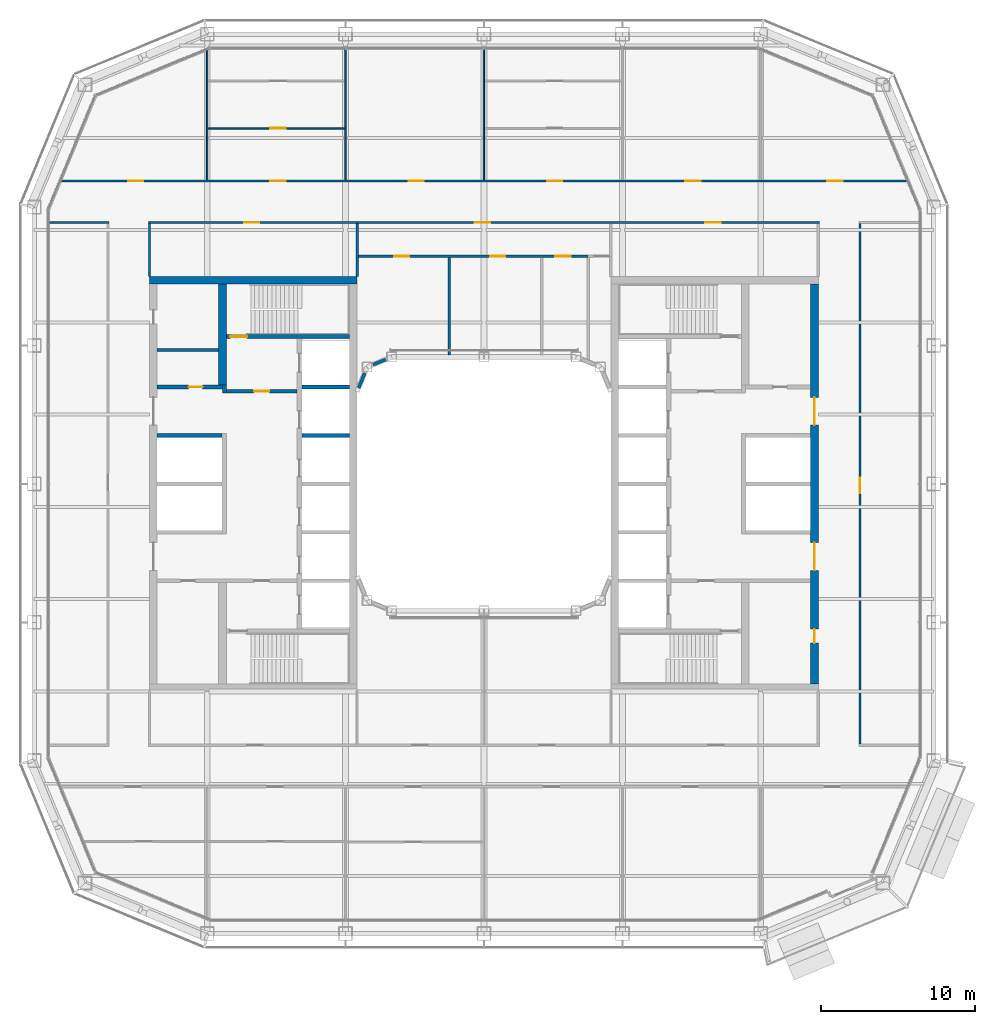
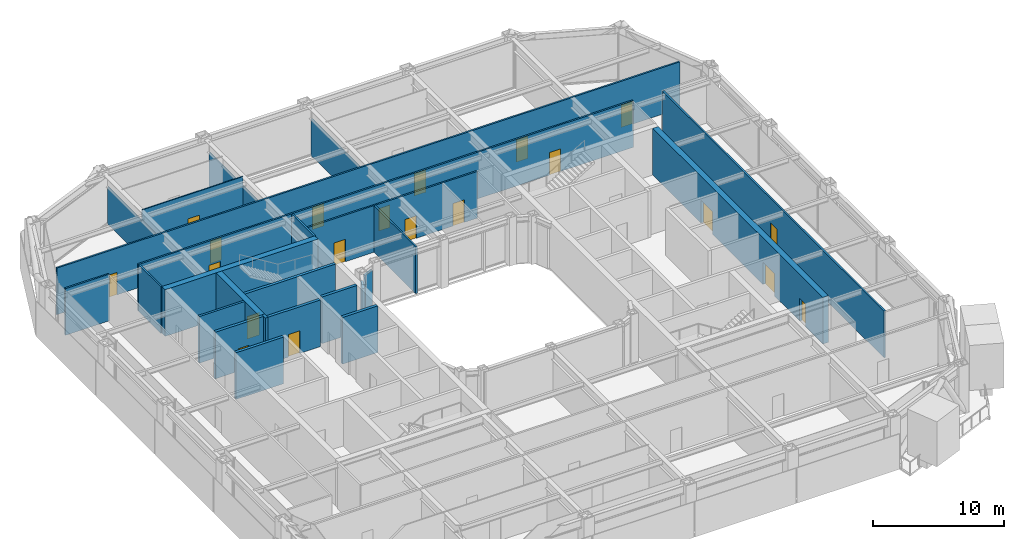
# One storey, part 13 of 23: 25 walls, 20 doors, 20 openings.
"""IFC4 building model written with IfcOpenShell, lengths in metres."""

from ifc_helpers import new_model, si_unit, direction, frame, frame_2d, origin, place, context, subcontext, project, spatial, rectangle, extrude, material, layer, layer_set, type_object, element, fill, save


model = new_model("IFC4")

# Units and contexts
model_context = context("Model", 3, precision=1e-05, world=origin(), true_north=direction((0.0, 1.0)))
body_context = subcontext(model_context, "Body", "Model", "MODEL_VIEW")
ifc_project = project(units=[si_unit("LENGTHUNIT", "METRE"), si_unit("AREAUNIT", "SQUARE_METRE"), si_unit("VOLUMEUNIT", "CUBIC_METRE"), si_unit("PLANEANGLEUNIT", "RADIAN"), si_unit("MASSUNIT", "GRAM", prefix="KILO")], contexts=[model_context])

# Site, building, storey
site_placement = place(None, origin())
site = spatial("IfcSite", under=ifc_project, at=site_placement, CompositionType="ELEMENT")
building_placement = place(site_placement, origin())
building = spatial("IfcBuilding", under=site, at=building_placement, Name="Siwar Civic Tower", CompositionType="ELEMENT")
storey_placement = place(building_placement, frame((0.0, 0.0, 145.199951171875)))
storey = spatial("IfcBuildingStorey", under=building, at=storey_placement, Name="L31", CompositionType="ELEMENT", Elevation=145.199951171875)

# Wall
ifc_material_1 = material(Name="Gypsum board on steel studs", Category="steel")
ifc_layer_1 = layer(ifc_material_1, 0.199951171875)
ifc_layer_set_1 = layer_set([ifc_layer_1], Name="Gypsum board on steel studs")
wall_type_1 = type_object("IfcWallType", Name="CORE-PARTITION-200", PredefinedType="PARTITIONING", material=ifc_layer_set_1)
wall_1_placement = place(storey_placement, frame((-17.25, 8.699951171875, 0.0), z_axis=(0.0, 0.0, 1.0), x_axis=(-1.0, 0.0, 0.0)))
element("IfcWall", 1, at=wall_1_placement, inside=storey, type_object=wall_type_1, Name="Core partition W", PredefinedType="PARTITIONING", context=body_context, shape_type="SweptSolid", body=[
    extrude(rectangle(XDim=4.0, YDim=0.199951171875, at=frame_2d((2.0, 0.0))), origin(), (0.0, 0.0, 1.0), 4.35009765625),
])

# Wall, opening, door
ifc_material_2 = material(Name="Concrete C60/75", Category="concrete")
ifc_layer_2 = layer(ifc_material_2, 0.25)
ifc_layer_set_2 = layer_set([ifc_layer_2], Name="Concrete C60/75")
wall_type_2 = type_object("IfcWallType", Name="CORE-WALL-RC250", PredefinedType="SHEAR", material=ifc_layer_set_2)
wall_2_placement = place(storey_placement, frame((-12.14990234375, 6.02490234375, 0.0), z_axis=(0.0, 0.0, 1.0), x_axis=(-1.0, 0.0, 0.0)))
wall_2 = element("IfcWall", 2, at=wall_2_placement, inside=storey, type_object=wall_type_2, Name="Core wall W", PredefinedType="SHEAR", context=body_context, shape_type="SweptSolid", body=[
    extrude(rectangle(XDim=4.60009765625, YDim=0.25, at=frame_2d((2.300048828125, 0.0))), origin(), (0.0, 0.0, 1.0), 4.35009765625),
])
opening_1_placement = place(wall_2_placement, frame((1.800048828125, 0.0, 0.0)))
opening_1 = element("IfcOpeningElement", 3, at=opening_1_placement, cuts=wall_2, Name="Opening L31-CW01", PredefinedType="OPENING", context=body_context, shape_type="SweptSolid", body=[
    extrude(rectangle(XDim=1.0, YDim=2.10009765625, at=frame_2d((0.5, 1.050048828125))), frame((0.0, 0.135009765625, 0.0), z_axis=(0.0, -1.0, 0.0), x_axis=(1.0, 0.0, 0.0)), (0.0, 0.0, 1.0), 0.27001953125),
])
ifc_material_3 = material(Name="Steel door leaf", Category="steel")
door_type_1 = type_object("IfcDoorType", Name="CORE-DOOR-FD30S", OperationType="SINGLE_SWING_LEFT", PredefinedType="DOOR", material=ifc_material_3)
door_1_placement = place(opening_1_placement, origin())
door_1 = element("IfcDoor", 4, at=door_1_placement, inside=storey, type_object=door_type_1, Name="Firefighting lobby door L31-CW01", OperationType="SINGLE_SWING_LEFT", OverallHeight=2.10009765625, OverallWidth=1.0, PredefinedType="DOOR", context=body_context, shape_type="SweptSolid", body=[
    extrude(rectangle(XDim=1.0, YDim=2.10009765625, at=frame_2d((0.5, 1.050048828125))), frame((0.0, 0.02490234375, 0.0), z_axis=(0.0, -1.0, 0.0), x_axis=(1.0, 0.0, 0.0)), (0.0, 0.0, 1.0), 0.050048828125),
])
fill(opening_1, door_1)

# Wall
wall_3_placement = place(storey_placement, frame((-16.875, 5.89990234375, 0.0), z_axis=(0.0, 0.0, 1.0), x_axis=(0.0, 1.0, 0.0)))
element("IfcWall", 5, at=wall_3_placement, inside=storey, type_object=wall_type_2, Name="Core wall W", PredefinedType="SHEAR", context=body_context, shape_type="SweptSolid", body=[
    extrude(rectangle(XDim=0.525146484375, YDim=0.25, at=frame_2d((0.2626953125, 0.0))), origin(), (0.0, 0.0, 1.0), 4.35009765625),
])

# Wall, opening, door
wall_4_placement = place(storey_placement, frame((-17.0, 6.300048828125, 0.0), z_axis=(0.0, 0.0, 1.0), x_axis=(-1.0, 0.0, 0.0)))
wall_4 = element("IfcWall", 6, at=wall_4_placement, inside=storey, type_object=wall_type_2, Name="Core wall W", PredefinedType="SHEAR", context=body_context, shape_type="SweptSolid", body=[
    extrude(rectangle(XDim=4.25, YDim=0.25, at=frame_2d((2.125, 0.0))), origin(), (0.0, 0.0, 1.0), 4.35009765625),
])
opening_2_placement = place(wall_4_placement, frame((1.300048828125, 0.0, 0.0)))
opening_2 = element("IfcOpeningElement", 7, at=opening_2_placement, cuts=wall_4, Name="Opening L31-CW13", PredefinedType="OPENING", context=body_context, shape_type="SweptSolid", body=[
    extrude(rectangle(XDim=0.89990234375, YDim=2.10009765625, at=frame_2d((0.449951171875, 1.050048828125))), frame((0.0, 0.135009765625, 0.0), z_axis=(0.0, -1.0, 0.0), x_axis=(1.0, 0.0, 0.0)), (0.0, 0.0, 1.0), 0.27001953125),
])
ifc_material_4 = material(Name="Steel door leaf", Category="steel")
door_type_2 = type_object("IfcDoorType", Name="CORE-DOOR-ROOM", OperationType="SINGLE_SWING_LEFT", PredefinedType="DOOR", material=ifc_material_4)
door_2_placement = place(opening_2_placement, origin())
door_2 = element("IfcDoor", 8, at=door_2_placement, inside=storey, type_object=door_type_2, Name="Core room door L31-CW13", OperationType="SINGLE_SWING_LEFT", OverallHeight=2.10009765625, OverallWidth=0.89990234375, PredefinedType="DOOR", context=body_context, shape_type="SweptSolid", body=[
    extrude(rectangle(XDim=0.89990234375, YDim=2.10009765625, at=frame_2d((0.449951171875, 1.050048828125))), frame((0.0, 0.02490234375, 0.0), z_axis=(0.0, -1.0, 0.0), x_axis=(1.0, 0.0, 0.0)), (0.0, 0.0, 1.0), 0.050048828125),
])
fill(opening_2, door_2)

# Walls
wall_5_placement = place(storey_placement, frame((-17.050048828125, 3.14990234375, 0.0), z_axis=(0.0, 0.0, 1.0), x_axis=(-1.0, 0.0, 0.0)))
element("IfcWall", 9, at=wall_5_placement, inside=storey, type_object=wall_type_2, Name="Core wall W", PredefinedType="SHEAR", context=body_context, shape_type="SweptSolid", body=[
    extrude(rectangle(XDim=4.199951171875, YDim=0.25, at=frame_2d((2.10009765625, 0.0))), origin(), (0.0, 0.0, 1.0), 4.35009765625),
])
for number, where, z_axis, x_axis, name in (
    (10, (-8.75, 3.14990234375, 0.0), (0.0, 0.0, 1.0), (-1.0, 0.0, 0.0), "Core wall W"),
    (11, (-8.75, 6.300048828125, 0.0), (0.0, 0.0, 1.0), (-1.0, 0.0, 0.0), "Core wall W"),
):
    element("IfcWall", number, at=place(storey_placement, frame(where, z_axis=z_axis, x_axis=x_axis)), inside=storey, type_object=wall_type_2, Name=name, PredefinedType="SHEAR", context=body_context, shape_type="SweptSolid", body=[
        extrude(rectangle(XDim=3.10009765625, YDim=0.25, at=frame_2d((1.550048828125, 0.0))), origin(), (0.0, 0.0, 1.0), 4.35009765625),
    ])

# Wall, opening, door
wall_6_placement = place(storey_placement, frame((-8.75, 9.574951171875, 0.0), z_axis=(0.0, 0.0, 1.0), x_axis=(-1.0, 0.0, 0.0)))
wall_6 = element("IfcWall", 12, at=wall_6_placement, inside=storey, type_object=wall_type_2, Name="Core wall W", PredefinedType="SHEAR", context=body_context, shape_type="SweptSolid", body=[
    extrude(rectangle(XDim=8.0, YDim=0.25, at=frame_2d((4.0, 0.0))), origin(), (0.0, 0.0, 1.0), 4.35009765625),
])
opening_3_placement = place(wall_6_placement, frame((6.64990234375, 0.0, 0.0)))
opening_3 = element("IfcOpeningElement", 13, at=opening_3_placement, cuts=wall_6, Name="Opening L31-CW03", PredefinedType="OPENING", context=body_context, shape_type="SweptSolid", body=[
    extrude(rectangle(XDim=1.10009765625, YDim=2.10009765625, at=frame_2d((0.550048828125, 1.050048828125))), frame((0.0, 0.135009765625, 0.0), z_axis=(0.0, -1.0, 0.0), x_axis=(1.0, 0.0, 0.0)), (0.0, 0.0, 1.0), 0.27001953125),
])
ifc_material_5 = material(Name="Steel door leaf", Category="steel")
door_type_3 = type_object("IfcDoorType", Name="CORE-DOOR-FD60S", OperationType="SINGLE_SWING_LEFT", PredefinedType="DOOR", material=ifc_material_5)
door_3_placement = place(opening_3_placement, origin())
door_3 = element("IfcDoor", 14, at=door_3_placement, inside=storey, type_object=door_type_3, Name="Stair door L31-CW03", OperationType="SINGLE_SWING_RIGHT", OverallHeight=2.10009765625, OverallWidth=1.10009765625, PredefinedType="DOOR", context=body_context, shape_type="SweptSolid", body=[
    extrude(rectangle(XDim=1.10009765625, YDim=2.10009765625, at=frame_2d((0.550048828125, 1.050048828125))), frame((0.0, 0.02490234375, 0.0), z_axis=(0.0, -1.0, 0.0), x_axis=(1.0, 0.0, 0.0)), (0.0, 0.0, 1.0), 0.050048828125),
])
fill(opening_3, door_3)

# Walls
ifc_material_6 = material(Name="Concrete C60/75", Category="concrete")
ifc_layer_3 = layer(ifc_material_6, 0.5)
ifc_layer_set_3 = layer_set([ifc_layer_3], Name="Concrete C60/75")
wall_type_3 = type_object("IfcWallType", Name="CORE-WALL-RC500", PredefinedType="SHEAR", material=ifc_layer_set_3)
wall_7_placement = place(storey_placement, frame((-17.0, 6.425048828125, 0.0), z_axis=(0.0, 0.0, 1.0), x_axis=(0.0, 1.0, 0.0)))
element("IfcWall", 15, at=wall_7_placement, inside=storey, type_object=wall_type_3, Name="Core wall W", PredefinedType="SHEAR", context=body_context, shape_type="SweptSolid", body=[
    extrude(rectangle(XDim=6.574951171875, YDim=0.5, at=frame_2d((3.28759765625, 0.0))), origin(), (0.0, 0.0, 1.0), 4.35009765625),
])
wall_8_placement = place(storey_placement, frame((-8.25, 13.25, 0.0), z_axis=(0.0, 0.0, 1.0), x_axis=(-1.0, 0.0, 0.0)))
element("IfcWall", 16, at=wall_8_placement, inside=storey, type_object=wall_type_3, Name="Core wall W", PredefinedType="SHEAR", context=body_context, shape_type="SweptSolid", body=[
    extrude(rectangle(XDim=13.5, YDim=0.5, at=frame_2d((6.75, 0.0))), origin(), (0.0, 0.0, 1.0), 4.35009765625),
])

# Wall, openings, doors
wall_9_placement = place(storey_placement, frame((21.5, -13.0, 0.0), z_axis=(0.0, 0.0, 1.0), x_axis=(0.0, 1.0, 0.0)))
wall_9 = element("IfcWall", 17, at=wall_9_placement, inside=storey, type_object=wall_type_3, Name="Core wall E", PredefinedType="SHEAR", context=body_context, shape_type="SweptSolid", body=[
    extrude(rectangle(XDim=26.0, YDim=0.5, at=frame_2d((13.0, 0.0))), origin(), (0.0, 0.0, 1.0), 4.35009765625),
])
opening_4_placement = place(wall_9_placement, frame((16.824951171875, 0.0, 0.0)))
opening_4 = element("IfcOpeningElement", 18, at=opening_4_placement, cuts=wall_9, Name="Opening L31-CE05", PredefinedType="OPENING", context=body_context, shape_type="SweptSolid", body=[
    extrude(rectangle(XDim=1.800048828125, YDim=2.10009765625, at=frame_2d((0.89990234375, 1.050048828125))), frame((0.0, 0.260009765625, 0.0), z_axis=(0.0, -1.0, 0.0), x_axis=(1.0, 0.0, 0.0)), (0.0, 0.0, 1.0), 0.52001953125),
])
opening_5_placement = place(wall_9_placement, frame((7.375, 0.0, 0.0)))
opening_5 = element("IfcOpeningElement", 19, at=opening_5_placement, cuts=wall_9, Name="Opening L31-CE06", PredefinedType="OPENING", context=body_context, shape_type="SweptSolid", body=[
    extrude(rectangle(XDim=1.800048828125, YDim=2.10009765625, at=frame_2d((0.89990234375, 1.050048828125))), frame((0.0, 0.260009765625, 0.0), z_axis=(0.0, -1.0, 0.0), x_axis=(1.0, 0.0, 0.0)), (0.0, 0.0, 1.0), 0.52001953125),
])
opening_6_placement = place(wall_9_placement, frame((2.64990234375, 0.0, 0.0)))
opening_6 = element("IfcOpeningElement", 20, at=opening_6_placement, cuts=wall_9, Name="Opening L31-CE14", PredefinedType="OPENING", context=body_context, shape_type="SweptSolid", body=[
    extrude(rectangle(XDim=0.89990234375, YDim=2.10009765625, at=frame_2d((0.449951171875, 1.050048828125))), frame((0.0, 0.260009765625, 0.0), z_axis=(0.0, -1.0, 0.0), x_axis=(1.0, 0.0, 0.0)), (0.0, 0.0, 1.0), 0.52001953125),
])
ifc_material_7 = material(Name="Steel door leaf", Category="steel")
door_type_4 = type_object("IfcDoorType", Name="CORE-DOOR-PORT", OperationType="DOUBLE_DOOR_DOUBLE_SWING", PredefinedType="DOOR", material=ifc_material_7)
door_4_placement = place(opening_4_placement, origin())
door_4 = element("IfcDoor", 21, at=door_4_placement, inside=storey, type_object=door_type_4, Name="Core entrance door L31-CE05", OperationType="DOUBLE_DOOR_DOUBLE_SWING", OverallHeight=2.10009765625, OverallWidth=1.800048828125, PredefinedType="DOOR", context=body_context, shape_type="SweptSolid", body=[
    extrude(rectangle(XDim=1.800048828125, YDim=2.10009765625, at=frame_2d((0.89990234375, 1.050048828125))), frame((0.0, 0.02490234375, 0.0), z_axis=(0.0, -1.0, 0.0), x_axis=(1.0, 0.0, 0.0)), (0.0, 0.0, 1.0), 0.050048828125),
])
fill(opening_4, door_4)
door_5_placement = place(opening_5_placement, origin())
door_5 = element("IfcDoor", 22, at=door_5_placement, inside=storey, type_object=door_type_4, Name="Core entrance door L31-CE06", OperationType="DOUBLE_DOOR_DOUBLE_SWING", OverallHeight=2.10009765625, OverallWidth=1.800048828125, PredefinedType="DOOR", context=body_context, shape_type="SweptSolid", body=[
    extrude(rectangle(XDim=1.800048828125, YDim=2.10009765625, at=frame_2d((0.89990234375, 1.050048828125))), frame((0.0, 0.02490234375, 0.0), z_axis=(0.0, -1.0, 0.0), x_axis=(1.0, 0.0, 0.0)), (0.0, 0.0, 1.0), 0.050048828125),
])
fill(opening_5, door_5)
door_6_placement = place(opening_6_placement, origin())
door_6 = element("IfcDoor", 23, at=door_6_placement, inside=storey, type_object=door_type_2, Name="Core room door L31-CE14", OperationType="SINGLE_SWING_RIGHT", OverallHeight=2.10009765625, OverallWidth=0.89990234375, PredefinedType="DOOR", context=body_context, shape_type="SweptSolid", body=[
    extrude(rectangle(XDim=0.89990234375, YDim=2.10009765625, at=frame_2d((0.449951171875, 1.050048828125))), frame((0.0, 0.02490234375, 0.0), z_axis=(0.0, -1.0, 0.0), x_axis=(1.0, 0.0, 0.0)), (0.0, 0.0, 1.0), 0.050048828125),
])
fill(opening_6, door_6)

ifc_material_8 = material(Name="Gypsum board on steel studs", Category="steel")
ifc_layer_4 = layer(ifc_material_8, 0.14990234375)
ifc_layer_set_4 = layer_set([ifc_layer_4], Name="Gypsum board on steel studs")
wall_type_4 = type_object("IfcWallType", Name="CORRIDOR PARTITION 150 EI 30", PredefinedType="PARTITIONING", material=ifc_layer_set_4)
wall_10_placement = place(storey_placement, frame((-8.175048828125, 14.800048828125, 0.0), z_axis=(0.0, 0.0, 1.0), x_axis=(1.0, 0.0, 0.0)))
wall_10 = element("IfcWall", 24, at=wall_10_placement, inside=storey, type_object=wall_type_4, Name="L31/wall/P07", PredefinedType="PARTITIONING", context=body_context, shape_type="SweptSolid", body=[
    extrude(rectangle(XDim=14.955078125, YDim=0.14990234375, at=frame_2d((7.4775390625, 0.0))), origin(), (0.0, 0.0, 1.0), 4.35009765625),
])
opening_7_placement = place(wall_10_placement, frame((2.324951171875, 0.0, 0.0)))
opening_7 = element("IfcOpeningElement", 25, at=opening_7_placement, cuts=wall_10, Name="Opening D3", PredefinedType="OPENING", context=body_context, shape_type="SweptSolid", body=[
    extrude(rectangle(XDim=1.0, YDim=2.10009765625, at=frame_2d((0.5, 1.050048828125))), frame((0.0, 0.0849609375, 0.0), z_axis=(0.0, -1.0, 0.0), x_axis=(1.0, 0.0, 0.0)), (0.0, 0.0, 1.0), 0.169921875),
])
opening_8_placement = place(wall_10_placement, frame((8.574951171875, 0.0, 0.0)))
opening_8 = element("IfcOpeningElement", 26, at=opening_8_placement, cuts=wall_10, Name="Opening D3", PredefinedType="OPENING", context=body_context, shape_type="SweptSolid", body=[
    extrude(rectangle(XDim=1.0, YDim=2.10009765625, at=frame_2d((0.5, 1.050048828125))), frame((0.0, 0.0849609375, 0.0), z_axis=(0.0, -1.0, 0.0), x_axis=(1.0, 0.0, 0.0)), (0.0, 0.0, 1.0), 0.169921875),
])
opening_9_placement = place(wall_10_placement, frame((12.824951171875, 0.0, 0.0)))
opening_9 = element("IfcOpeningElement", 27, at=opening_9_placement, cuts=wall_10, Name="Opening D3", PredefinedType="OPENING", context=body_context, shape_type="SweptSolid", body=[
    extrude(rectangle(XDim=1.0, YDim=2.10009765625, at=frame_2d((0.5, 1.050048828125))), frame((0.0, 0.0849609375, 0.0), z_axis=(0.0, -1.0, 0.0), x_axis=(1.0, 0.0, 0.0)), (0.0, 0.0, 1.0), 0.169921875),
])
ifc_material_9 = material(Name="Timber, painted", Category="wood")
door_type_5 = type_object("IfcDoorType", Name="DOOR 1000 X 2100 WC", OperationType="SINGLE_SWING_LEFT", PredefinedType="DOOR", material=ifc_material_9)
door_7_placement = place(opening_7_placement, origin())
door_7 = element("IfcDoor", 28, at=door_7_placement, inside=storey, type_object=door_type_5, Name="L31-D21", OperationType="SINGLE_SWING_LEFT", OverallHeight=2.10009765625, OverallWidth=1.0, PredefinedType="DOOR", context=body_context, shape_type="SweptSolid", body=[
    extrude(rectangle(XDim=1.0, YDim=2.10009765625, at=frame_2d((0.5, 1.050048828125))), frame((0.0, 0.02490234375, 0.0), z_axis=(0.0, -1.0, 0.0), x_axis=(1.0, 0.0, 0.0)), (0.0, 0.0, 1.0), 0.050048828125),
])
fill(opening_7, door_7)
door_8_placement = place(opening_8_placement, origin())
door_8 = element("IfcDoor", 29, at=door_8_placement, inside=storey, type_object=door_type_5, Name="L31-D22", OperationType="SINGLE_SWING_RIGHT", OverallHeight=2.10009765625, OverallWidth=1.0, PredefinedType="DOOR", context=body_context, shape_type="SweptSolid", body=[
    extrude(rectangle(XDim=1.0, YDim=2.10009765625, at=frame_2d((0.5, 1.050048828125))), frame((0.0, 0.02490234375, 0.0), z_axis=(0.0, -1.0, 0.0), x_axis=(1.0, 0.0, 0.0)), (0.0, 0.0, 1.0), 0.050048828125),
])
fill(opening_8, door_8)
door_9_placement = place(opening_9_placement, origin())
door_9 = element("IfcDoor", 30, at=door_9_placement, inside=storey, type_object=door_type_5, Name="L31-D23", OperationType="SINGLE_SWING_LEFT", OverallHeight=2.10009765625, OverallWidth=1.0, PredefinedType="DOOR", context=body_context, shape_type="SweptSolid", body=[
    extrude(rectangle(XDim=1.0, YDim=2.10009765625, at=frame_2d((0.5, 1.050048828125))), frame((0.0, 0.02490234375, 0.0), z_axis=(0.0, -1.0, 0.0), x_axis=(1.0, 0.0, 0.0)), (0.0, 0.0, 1.0), 0.050048828125),
])
fill(opening_9, door_9)

# Wall
wall_11_placement = place(storey_placement, frame((-28.260009765625, 17.0, 0.0), z_axis=(0.0, 0.0, 1.0), x_axis=(1.0, 0.0, 0.0)))
element("IfcWall", 31, at=wall_11_placement, inside=storey, type_object=wall_type_4, Name="L31/wall/P09", PredefinedType="PARTITIONING", context=body_context, shape_type="SweptSolid", body=[
    extrude(rectangle(XDim=3.885009765625, YDim=0.14990234375, at=frame_2d((1.9423828125, 0.0))), origin(), (0.0, 0.0, 1.0), 4.35009765625),
])

# Wall, openings, doors
wall_12_placement = place(storey_placement, frame((-21.824951171875, 17.0, 0.0), z_axis=(0.0, 0.0, 1.0), x_axis=(1.0, 0.0, 0.0)))
wall_12 = element("IfcWall", 32, at=wall_12_placement, inside=storey, type_object=wall_type_4, Name="L31/wall/P10", PredefinedType="PARTITIONING", context=body_context, shape_type="SweptSolid", body=[
    extrude(rectangle(XDim=43.64990234375, YDim=0.14990234375, at=frame_2d((21.824951171875, 0.0))), origin(), (0.0, 0.0, 1.0), 4.35009765625),
])
opening_10_placement = place(wall_12_placement, frame((21.22509765625, 0.0, 0.0)))
opening_10 = element("IfcOpeningElement", 33, at=opening_10_placement, cuts=wall_12, Name="Opening D1", PredefinedType="OPENING", context=body_context, shape_type="SweptSolid", body=[
    extrude(rectangle(XDim=1.0, YDim=2.10009765625, at=frame_2d((0.5, 1.050048828125))), frame((0.0, 0.0849609375, 0.0), z_axis=(0.0, -1.0, 0.0), x_axis=(1.0, 0.0, 0.0)), (0.0, 0.0, 1.0), 0.169921875),
])
opening_11_placement = place(wall_12_placement, frame((6.22509765625, 0.0, 0.0)))
opening_11 = element("IfcOpeningElement", 34, at=opening_11_placement, cuts=wall_12, Name="Opening D1", PredefinedType="OPENING", context=body_context, shape_type="SweptSolid", body=[
    extrude(rectangle(XDim=1.0, YDim=2.10009765625, at=frame_2d((0.5, 1.050048828125))), frame((0.0, 0.0849609375, 0.0), z_axis=(0.0, -1.0, 0.0), x_axis=(1.0, 0.0, 0.0)), (0.0, 0.0, 1.0), 0.169921875),
])
opening_12_placement = place(wall_12_placement, frame((36.22509765625, 0.0, 0.0)))
opening_12 = element("IfcOpeningElement", 35, at=opening_12_placement, cuts=wall_12, Name="Opening D1", PredefinedType="OPENING", context=body_context, shape_type="SweptSolid", body=[
    extrude(rectangle(XDim=1.0, YDim=2.10009765625, at=frame_2d((0.5, 1.050048828125))), frame((0.0, 0.0849609375, 0.0), z_axis=(0.0, -1.0, 0.0), x_axis=(1.0, 0.0, 0.0)), (0.0, 0.0, 1.0), 0.169921875),
])
ifc_material_10 = material(Name="Timber, painted", Category="wood")
door_type_6 = type_object("IfcDoorType", Name="DOOR 1000 X 2100 FD30", OperationType="SINGLE_SWING_LEFT", PredefinedType="DOOR", material=ifc_material_10)
door_10_placement = place(opening_10_placement, origin())
door_10 = element("IfcDoor", 36, at=door_10_placement, inside=storey, type_object=door_type_6, Name="L31-D20", OperationType="SINGLE_SWING_RIGHT", OverallHeight=2.10009765625, OverallWidth=1.0, PredefinedType="DOOR", context=body_context, shape_type="SweptSolid", body=[
    extrude(rectangle(XDim=1.0, YDim=2.10009765625, at=frame_2d((0.5, 1.050048828125))), frame((0.0, 0.02490234375, 0.0), z_axis=(0.0, -1.0, 0.0), x_axis=(1.0, 0.0, 0.0)), (0.0, 0.0, 1.0), 0.050048828125),
])
fill(opening_10, door_10)
door_11_placement = place(opening_11_placement, origin())
door_11 = element("IfcDoor", 37, at=door_11_placement, inside=storey, type_object=door_type_6, Name="L31-D27", OperationType="SINGLE_SWING_LEFT", OverallHeight=2.10009765625, OverallWidth=1.0, PredefinedType="DOOR", context=body_context, shape_type="SweptSolid", body=[
    extrude(rectangle(XDim=1.0, YDim=2.10009765625, at=frame_2d((0.5, 1.050048828125))), frame((0.0, 0.02490234375, 0.0), z_axis=(0.0, -1.0, 0.0), x_axis=(1.0, 0.0, 0.0)), (0.0, 0.0, 1.0), 0.050048828125),
])
fill(opening_11, door_11)
door_12_placement = place(opening_12_placement, origin())
door_12 = element("IfcDoor", 38, at=door_12_placement, inside=storey, type_object=door_type_6, Name="L31-D28", OperationType="SINGLE_SWING_RIGHT", OverallHeight=2.10009765625, OverallWidth=1.0, PredefinedType="DOOR", context=body_context, shape_type="SweptSolid", body=[
    extrude(rectangle(XDim=1.0, YDim=2.10009765625, at=frame_2d((0.5, 1.050048828125))), frame((0.0, 0.02490234375, 0.0), z_axis=(0.0, -1.0, 0.0), x_axis=(1.0, 0.0, 0.0)), (0.0, 0.0, 1.0), 0.050048828125),
])
fill(opening_12, door_12)

wall_13_placement = place(storey_placement, frame((-27.47412109375, 19.699951171875, 0.0), z_axis=(0.0, 0.0, 1.0), x_axis=(1.0, 0.0, 0.0)))
wall_13 = element("IfcWall", 39, at=wall_13_placement, inside=storey, type_object=wall_type_4, Name="L31/wall/P12", PredefinedType="PARTITIONING", context=body_context, shape_type="SweptSolid", body=[
    extrude(rectangle(XDim=54.9482421875, YDim=0.14990234375, at=frame_2d((27.47412109375, 0.0))), origin(), (0.0, 0.0, 1.0), 4.35009765625),
])
opening_13_placement = place(wall_13_placement, frame((13.573974609375, 0.0, 0.0)))
opening_13 = element("IfcOpeningElement", 40, at=opening_13_placement, cuts=wall_13, Name="Opening D1", PredefinedType="OPENING", context=body_context, shape_type="SweptSolid", body=[
    extrude(rectangle(XDim=1.0, YDim=2.10009765625, at=frame_2d((0.5, 1.050048828125))), frame((0.0, 0.0849609375, 0.0), z_axis=(0.0, -1.0, 0.0), x_axis=(1.0, 0.0, 0.0)), (0.0, 0.0, 1.0), 0.169921875),
])
opening_14_placement = place(wall_13_placement, frame((22.573974609375, 0.0, 0.0)))
opening_14 = element("IfcOpeningElement", 41, at=opening_14_placement, cuts=wall_13, Name="Opening D1", PredefinedType="OPENING", context=body_context, shape_type="SweptSolid", body=[
    extrude(rectangle(XDim=1.0, YDim=2.10009765625, at=frame_2d((0.5, 1.050048828125))), frame((0.0, 0.0849609375, 0.0), z_axis=(0.0, -1.0, 0.0), x_axis=(1.0, 0.0, 0.0)), (0.0, 0.0, 1.0), 0.169921875),
])
opening_15_placement = place(wall_13_placement, frame((31.573974609375, 0.0, 0.0)))
opening_15 = element("IfcOpeningElement", 42, at=opening_15_placement, cuts=wall_13, Name="Opening D1", PredefinedType="OPENING", context=body_context, shape_type="SweptSolid", body=[
    extrude(rectangle(XDim=1.0, YDim=2.10009765625, at=frame_2d((0.5, 1.050048828125))), frame((0.0, 0.0849609375, 0.0), z_axis=(0.0, -1.0, 0.0), x_axis=(1.0, 0.0, 0.0)), (0.0, 0.0, 1.0), 0.169921875),
])
opening_16_placement = place(wall_13_placement, frame((40.573974609375, 0.0, 0.0)))
opening_16 = element("IfcOpeningElement", 43, at=opening_16_placement, cuts=wall_13, Name="Opening D1", PredefinedType="OPENING", context=body_context, shape_type="SweptSolid", body=[
    extrude(rectangle(XDim=1.0, YDim=2.10009765625, at=frame_2d((0.5, 1.050048828125))), frame((0.0, 0.0849609375, 0.0), z_axis=(0.0, -1.0, 0.0), x_axis=(1.0, 0.0, 0.0)), (0.0, 0.0, 1.0), 0.169921875),
])
opening_17_placement = place(wall_13_placement, frame((4.323974609375, 0.0, 0.0)))
opening_17 = element("IfcOpeningElement", 44, at=opening_17_placement, cuts=wall_13, Name="Opening D1", PredefinedType="OPENING", context=body_context, shape_type="SweptSolid", body=[
    extrude(rectangle(XDim=1.0, YDim=2.10009765625, at=frame_2d((0.5, 1.050048828125))), frame((0.0, 0.0849609375, 0.0), z_axis=(0.0, -1.0, 0.0), x_axis=(1.0, 0.0, 0.0)), (0.0, 0.0, 1.0), 0.169921875),
])
opening_18_placement = place(wall_13_placement, frame((49.798095703125, 0.0, 0.0)))
opening_18 = element("IfcOpeningElement", 45, at=opening_18_placement, cuts=wall_13, Name="Opening D1", PredefinedType="OPENING", context=body_context, shape_type="SweptSolid", body=[
    extrude(rectangle(XDim=1.0, YDim=2.10009765625, at=frame_2d((0.5, 1.050048828125))), frame((0.0, 0.0849609375, 0.0), z_axis=(0.0, -1.0, 0.0), x_axis=(1.0, 0.0, 0.0)), (0.0, 0.0, 1.0), 0.169921875),
])
door_13_placement = place(opening_13_placement, origin())
door_13 = element("IfcDoor", 46, at=door_13_placement, inside=storey, type_object=door_type_6, Name="L31-D01", OperationType="SINGLE_SWING_LEFT", OverallHeight=2.10009765625, OverallWidth=1.0, PredefinedType="DOOR", context=body_context, shape_type="SweptSolid", body=[
    extrude(rectangle(XDim=1.0, YDim=2.10009765625, at=frame_2d((0.5, 1.050048828125))), frame((0.0, 0.02490234375, 0.0), z_axis=(0.0, -1.0, 0.0), x_axis=(1.0, 0.0, 0.0)), (0.0, 0.0, 1.0), 0.050048828125),
])
fill(opening_13, door_13)
door_14_placement = place(opening_14_placement, origin())
door_14 = element("IfcDoor", 47, at=door_14_placement, inside=storey, type_object=door_type_6, Name="L31-D04", OperationType="SINGLE_SWING_RIGHT", OverallHeight=2.10009765625, OverallWidth=1.0, PredefinedType="DOOR", context=body_context, shape_type="SweptSolid", body=[
    extrude(rectangle(XDim=1.0, YDim=2.10009765625, at=frame_2d((0.5, 1.050048828125))), frame((0.0, 0.02490234375, 0.0), z_axis=(0.0, -1.0, 0.0), x_axis=(1.0, 0.0, 0.0)), (0.0, 0.0, 1.0), 0.050048828125),
])
fill(opening_14, door_14)
door_15_placement = place(opening_15_placement, origin())
door_15 = element("IfcDoor", 48, at=door_15_placement, inside=storey, type_object=door_type_6, Name="L31-D05", OperationType="SINGLE_SWING_LEFT", OverallHeight=2.10009765625, OverallWidth=1.0, PredefinedType="DOOR", context=body_context, shape_type="SweptSolid", body=[
    extrude(rectangle(XDim=1.0, YDim=2.10009765625, at=frame_2d((0.5, 1.050048828125))), frame((0.0, 0.02490234375, 0.0), z_axis=(0.0, -1.0, 0.0), x_axis=(1.0, 0.0, 0.0)), (0.0, 0.0, 1.0), 0.050048828125),
])
fill(opening_15, door_15)
door_16_placement = place(opening_16_placement, origin())
door_16 = element("IfcDoor", 49, at=door_16_placement, inside=storey, type_object=door_type_6, Name="L31-D08", OperationType="SINGLE_SWING_RIGHT", OverallHeight=2.10009765625, OverallWidth=1.0, PredefinedType="DOOR", context=body_context, shape_type="SweptSolid", body=[
    extrude(rectangle(XDim=1.0, YDim=2.10009765625, at=frame_2d((0.5, 1.050048828125))), frame((0.0, 0.02490234375, 0.0), z_axis=(0.0, -1.0, 0.0), x_axis=(1.0, 0.0, 0.0)), (0.0, 0.0, 1.0), 0.050048828125),
])
fill(opening_16, door_16)
door_17_placement = place(opening_17_placement, origin())
door_17 = element("IfcDoor", 50, at=door_17_placement, inside=storey, type_object=door_type_6, Name="L31-D15", OperationType="SINGLE_SWING_LEFT", OverallHeight=2.10009765625, OverallWidth=1.0, PredefinedType="DOOR", context=body_context, shape_type="SweptSolid", body=[
    extrude(rectangle(XDim=1.0, YDim=2.10009765625, at=frame_2d((0.5, 1.050048828125))), frame((0.0, 0.02490234375, 0.0), z_axis=(0.0, -1.0, 0.0), x_axis=(1.0, 0.0, 0.0)), (0.0, 0.0, 1.0), 0.050048828125),
])
fill(opening_17, door_17)
door_18_placement = place(opening_18_placement, origin())
door_18 = element("IfcDoor", 51, at=door_18_placement, inside=storey, type_object=door_type_6, Name="L31-D16", OperationType="SINGLE_SWING_RIGHT", OverallHeight=2.10009765625, OverallWidth=1.0, PredefinedType="DOOR", context=body_context, shape_type="SweptSolid", body=[
    extrude(rectangle(XDim=1.0, YDim=2.10009765625, at=frame_2d((0.5, 1.050048828125))), frame((0.0, 0.02490234375, 0.0), z_axis=(0.0, -1.0, 0.0), x_axis=(1.0, 0.0, 0.0)), (0.0, 0.0, 1.0), 0.050048828125),
])
fill(opening_18, door_18)

# Walls
for number, where, z_axis, x_axis, name in (
    (52, (-21.75, 13.5, 0.0), (0.0, 0.0, 1.0), (0.0, 1.0, 0.0), "L31/wall/P19"),
    (53, (-8.25, 13.5, 0.0), (0.0, 0.0, 1.0), (0.0, 1.0, 0.0), "L31/wall/P26"),
):
    element("IfcWall", number, at=place(storey_placement, frame(where, z_axis=z_axis, x_axis=x_axis)), inside=storey, type_object=wall_type_4, Name=name, PredefinedType="PARTITIONING", context=body_context, shape_type="SweptSolid", body=[
        extrude(rectangle(XDim=3.425048828125, YDim=0.14990234375, at=frame_2d((1.71240234375, 0.0))), origin(), (0.0, 0.0, 1.0), 4.35009765625),
    ])
wall_14_placement = place(storey_placement, frame((-2.25, 8.3701171875, 0.0), z_axis=(0.0, 0.0, 1.0), x_axis=(0.0, 1.0, 0.0)))
element("IfcWall", 54, at=wall_14_placement, inside=storey, type_object=wall_type_4, Name="L31/wall/P27", PredefinedType="PARTITIONING", context=body_context, shape_type="SweptSolid", body=[
    extrude(rectangle(XDim=6.35498046875, YDim=0.14990234375, at=frame_2d((3.177490234375, 0.0))), origin(), (0.0, 0.0, 1.0), 4.35009765625),
])

# Wall, opening, door
wall_15_placement = place(storey_placement, frame((24.449951171875, -16.925048828125, 0.0), z_axis=(0.0, 0.0, 1.0), x_axis=(0.0, 1.0, 0.0)))
wall_15 = element("IfcWall", 55, at=wall_15_placement, inside=storey, type_object=wall_type_4, Name="L31/wall/P42", PredefinedType="PARTITIONING", context=body_context, shape_type="SweptSolid", body=[
    extrude(rectangle(XDim=33.85009765625, YDim=0.14990234375, at=frame_2d((16.925048828125, 0.0))), origin(), (0.0, 0.0, 1.0), 4.35009765625),
])
opening_19_placement = place(wall_15_placement, frame((16.324951171875, 0.0, 0.0)))
opening_19 = element("IfcOpeningElement", 56, at=opening_19_placement, cuts=wall_15, Name="Opening D1", PredefinedType="OPENING", context=body_context, shape_type="SweptSolid", body=[
    extrude(rectangle(XDim=1.0, YDim=2.10009765625, at=frame_2d((0.5, 1.050048828125))), frame((0.0, 0.0849609375, 0.0), z_axis=(0.0, -1.0, 0.0), x_axis=(1.0, 0.0, 0.0)), (0.0, 0.0, 1.0), 0.169921875),
])
door_19_placement = place(opening_19_placement, origin())
door_19 = element("IfcDoor", 57, at=door_19_placement, inside=storey, type_object=door_type_6, Name="L31-D32", OperationType="SINGLE_SWING_RIGHT", OverallHeight=2.10009765625, OverallWidth=1.0, PredefinedType="DOOR", context=body_context, shape_type="SweptSolid", body=[
    extrude(rectangle(XDim=1.0, YDim=2.10009765625, at=frame_2d((0.5, 1.050048828125))), frame((0.0, 0.02490234375, 0.0), z_axis=(0.0, -1.0, 0.0), x_axis=(1.0, 0.0, 0.0)), (0.0, 0.0, 1.0), 0.050048828125),
])
fill(opening_19, door_19)

# Walls
ifc_material_11 = material(Name="Aluminium clad insulated panel", Category="aluminium")
ifc_layer_5 = layer(ifc_material_11, 0.199951171875)
ifc_layer_set_5 = layer_set([ifc_layer_5], Name="Aluminium clad insulated panel")
wall_type_5 = type_object("IfcWallType", Name="ENV-WALL-WELL", PredefinedType="STANDARD", material=ifc_layer_set_5)
wall_16_placement = place(storey_placement, frame((-6.392333984375, 8.08740234375, 0.0), z_axis=(0.0, 0.0, 1.0), x_axis=(-0.923894108428, -0.382648241093, 0.0)))
element("IfcWall", 58, at=wall_16_placement, inside=storey, type_object=wall_type_5, Name="Light well corner wall NW1", PredefinedType="STANDARD", context=body_context, shape_type="SweptSolid", body=[
    extrude(rectangle(XDim=0.872802734375, YDim=0.199951171875, at=frame_2d((0.4365234375, 0.0))), origin(), (0.0, 0.0, 1.0), 3.825927734375),
])
wall_17_placement = place(storey_placement, frame((-7.75341796875, 7.19873046875, 0.0), z_axis=(0.0, 0.0, 1.0), x_axis=(-0.382694858887, -0.923874799408, 0.0)))
element("IfcWall", 59, at=wall_17_placement, inside=storey, type_object=wall_type_5, Name="Light well corner wall NW2", PredefinedType="STANDARD", context=body_context, shape_type="SweptSolid", body=[
    extrude(rectangle(XDim=1.047607421875, YDim=0.199951171875, at=frame_2d((0.52392578125, 0.0))), origin(), (0.0, 0.0, 1.0), 3.825927734375),
])

# Wall, opening, door
ifc_material_12 = material(Name="Gypsum board on steel studs", Category="steel")
ifc_layer_6 = layer(ifc_material_12, 0.10009765625)
ifc_layer_set_6 = layer_set([ifc_layer_6], Name="Gypsum board on steel studs")
wall_type_6 = type_object("IfcWallType", Name="PARTITION 100 GYPSUM", PredefinedType="PARTITIONING", material=ifc_layer_set_6)
wall_18_placement = place(storey_placement, frame((-17.949951171875, 23.1240234375, 0.0), z_axis=(0.0, 0.0, 1.0), x_axis=(1.0, 0.0, 0.0)))
wall_18 = element("IfcWall", 60, at=wall_18_placement, inside=storey, type_object=wall_type_6, Name="L31/wall/P13", PredefinedType="PARTITIONING", context=body_context, shape_type="SweptSolid", body=[
    extrude(rectangle(XDim=8.89990234375, YDim=0.10009765625, at=frame_2d((4.449951171875, 0.0))), origin(), (0.0, 0.0, 1.0), 4.35009765625),
])
opening_20_placement = place(wall_18_placement, frame((4.050048828125, 0.0, 0.0)))
opening_20 = element("IfcOpeningElement", 61, at=opening_20_placement, cuts=wall_18, Name="Opening D2", PredefinedType="OPENING", context=body_context, shape_type="SweptSolid", body=[
    extrude(rectangle(XDim=1.0, YDim=2.10009765625, at=frame_2d((0.5, 1.050048828125))), frame((0.0, 0.06005859375, 0.0), z_axis=(0.0, -1.0, 0.0), x_axis=(1.0, 0.0, 0.0)), (0.0, 0.0, 1.0), 0.1201171875),
])
ifc_material_13 = material(Name="Timber, painted", Category="wood")
door_type_7 = type_object("IfcDoorType", Name="DOOR 1000 X 2100", OperationType="SINGLE_SWING_LEFT", PredefinedType="DOOR", material=ifc_material_13)
door_20_placement = place(opening_20_placement, origin())
door_20 = element("IfcDoor", 62, at=door_20_placement, inside=storey, type_object=door_type_7, Name="L31-D02", OperationType="SINGLE_SWING_RIGHT", OverallHeight=2.10009765625, OverallWidth=1.0, PredefinedType="DOOR", context=body_context, shape_type="SweptSolid", body=[
    extrude(rectangle(XDim=1.0, YDim=2.10009765625, at=frame_2d((0.5, 1.050048828125))), frame((0.0, 0.02490234375, 0.0), z_axis=(0.0, -1.0, 0.0), x_axis=(1.0, 0.0, 0.0)), (0.0, 0.0, 1.0), 0.050048828125),
])
fill(opening_20, door_20)

# Walls
wall_19_placement = place(storey_placement, frame((-18.0, 19.77490234375, 0.0), z_axis=(0.0, 0.0, 1.0), x_axis=(0.0, 1.0, 0.0)))
element("IfcWall", 63, at=wall_19_placement, inside=storey, type_object=wall_type_6, Name="L31/wall/P22", PredefinedType="PARTITIONING", context=body_context, shape_type="SweptSolid", body=[
    extrude(rectangle(XDim=8.403076171875, YDim=0.10009765625, at=frame_2d((4.20166015625, 0.0))), origin(), (0.0, 0.0, 1.0), 3.449951171875),
])
for number, where, z_axis, x_axis, name in (
    (64, (-9.0, 19.77490234375, 0.0), (0.0, 0.0, 1.0), (0.0, 1.0, 0.0), "L31/wall/P24"),
    (65, (0.0, 19.77490234375, 0.0), (0.0, 0.0, 1.0), (0.0, 1.0, 0.0), "L31/wall/P30"),
):
    element("IfcWall", number, at=place(storey_placement, frame(where, z_axis=z_axis, x_axis=x_axis)), inside=storey, type_object=wall_type_6, Name=name, PredefinedType="PARTITIONING", context=body_context, shape_type="SweptSolid", body=[
        extrude(rectangle(XDim=8.485107421875, YDim=0.10009765625, at=frame_2d((4.24267578125, 0.0))), origin(), (0.0, 0.0, 1.0), 3.449951171875),
    ])

save(model, "model.ifc")
